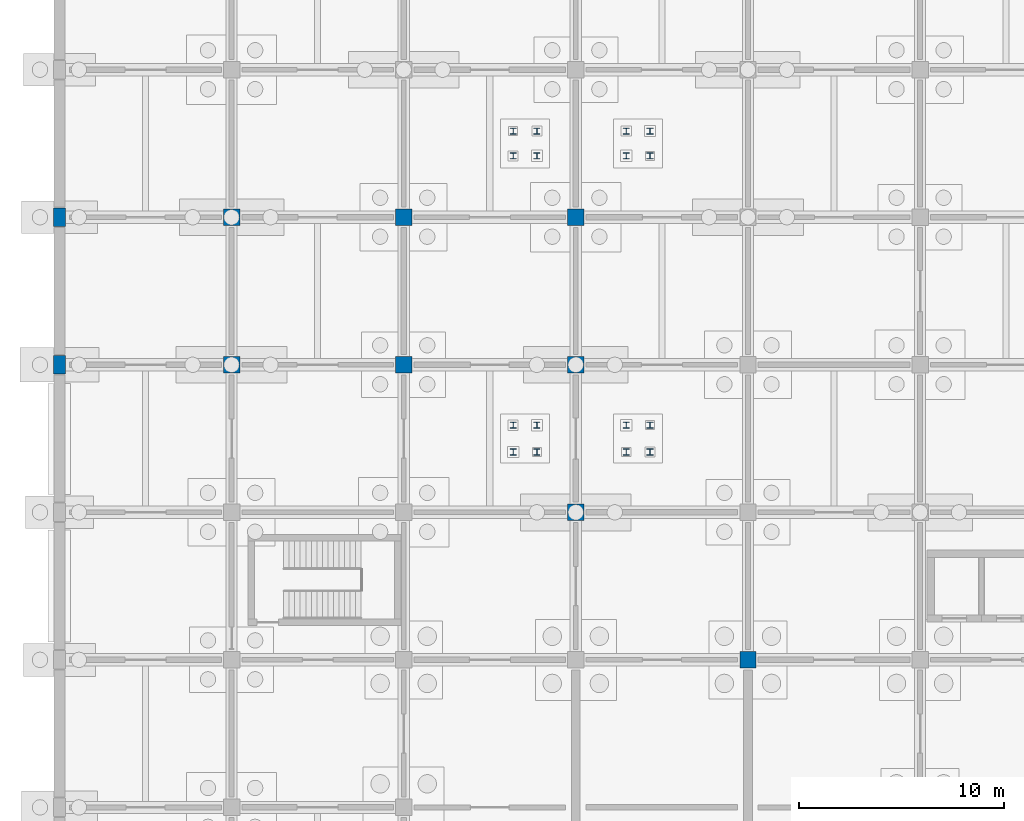
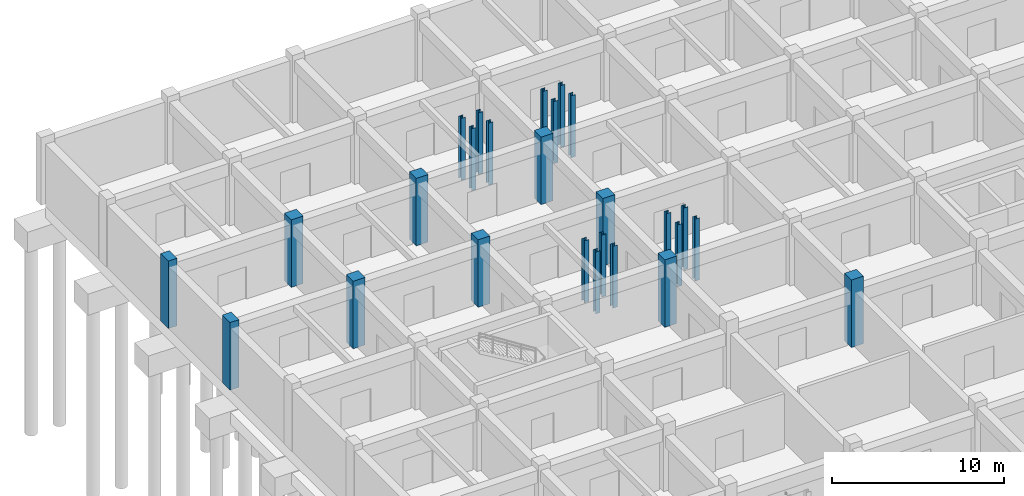
# One storey, part 8 of 38: 26 columns.
"""IFC4 building model written with IfcOpenShell, lengths in metres."""

from ifc_helpers import new_model, si_unit, derived_unit, direction, frame, origin, origin_2d, place, context, subcontext, project, spatial, rectangle, i_section, extrude, material, material_profile, profile_set, type_object, element, save


model = new_model("IFC4")

# Units and contexts
model_context = context("Model", 3, precision=1e-05, world=origin(), true_north=direction((0.0, 1.0)))
body_context = subcontext(model_context, "Body", "Model", "MODEL_VIEW")
ifc_project = project(units=[si_unit("LENGTHUNIT", "METRE"), si_unit("AREAUNIT", "SQUARE_METRE"), si_unit("VOLUMEUNIT", "CUBIC_METRE"), si_unit("PLANEANGLEUNIT", "RADIAN"), si_unit("MASSUNIT", "GRAM", prefix="KILO"), derived_unit("THERMALTRANSMITTANCEUNIT", [(si_unit("MASSUNIT", "GRAM", prefix="KILO"), 1), (si_unit("TIMEUNIT", "SECOND"), -3), (si_unit("THERMODYNAMICTEMPERATUREUNIT", "KELVIN"), -1)])], contexts=[model_context])

# Site, building, storey
site_placement = place(None, origin())
site = spatial("IfcSite", under=ifc_project, at=site_placement, CompositionType="ELEMENT")
building_placement = place(site_placement, origin())
building = spatial("IfcBuilding", under=site, at=building_placement, Name="Veldstrom Oceanarium and Marine Research Institute", CompositionType="ELEMENT")
storey_placement = place(building_placement, frame((0.0, 0.0, -9.60009765625)))
storey = spatial("IfcBuildingStorey", under=building, at=storey_placement, Name="B02", CompositionType="ELEMENT", Elevation=-9.60009765625)

# Columns
ifc_material_1 = material(Name="Concrete C50/60", Category="concrete")
ifc_material_profile_1 = material_profile(ifc_material_1, rectangle(XDim=0.800048828125, YDim=0.800048828125, at=origin_2d()), Name="RC-COL-800x800")
ifc_profile_set_1 = profile_set([ifc_material_profile_1], Name="Concrete C50/60")
column_type_1 = type_object("IfcColumnType", Name="STR-COL-C04", PredefinedType="COLUMN", material=ifc_profile_set_1)
for number, where, z_axis, x_axis, name in (
    (1, (8.39990234375, 50.39990234375, 0.0), (0.0, 0.0, 1.0), (1.0, 0.0, 0.0), "Column C04 2/H B02"),
    (2, (8.39990234375, 57.60009765625, 0.0), (0.0, 0.0, 1.0), (1.0, 0.0, 0.0), "Column C04 2/J B02"),
    (3, (16.800048828125, 50.39990234375, 0.0), (0.0, 0.0, 1.0), (1.0, 0.0, 0.0), "Column C04 3/H B02"),
    (4, (16.800048828125, 57.60009765625, 0.0), (0.0, 0.0, 1.0), (1.0, 0.0, 0.0), "Column C04 3/J B02"),
    (5, (25.199951171875, 43.199951171875, 0.0), (0.0, 0.0, 1.0), (1.0, 0.0, 0.0), "Column C04 4/G B02"),
    (6, (25.199951171875, 50.39990234375, 0.0), (0.0, 0.0, 1.0), (1.0, 0.0, 0.0), "Column C04 4/H B02"),
    (7, (25.199951171875, 57.60009765625, 0.0), (0.0, 0.0, 1.0), (1.0, 0.0, 0.0), "Column C04 4/J B02"),
    (8, (33.60009765625, 36.0, 0.0), (0.0, 0.0, 1.0), (1.0, 0.0, 0.0), "Column C04 5/F B02"),
):
    element("IfcColumn", number, at=place(storey_placement, frame(where, z_axis=z_axis, x_axis=x_axis)), inside=storey, type_object=column_type_1, Name=name, PredefinedType="COLUMN", context=body_context, shape_type="SweptSolid", body=[
        extrude(rectangle(XDim=0.800048828125, YDim=0.800048828125, at=origin_2d()), origin(), (0.0, 0.0, 1.0), 4.800048828125),
    ])
ifc_material_2 = material(Name="Concrete C50/60", Category="concrete")
ifc_material_profile_2 = material_profile(ifc_material_2, rectangle(XDim=0.60009765625, YDim=0.89990234375, at=origin_2d()), Name="RC-COL-900x600")
ifc_profile_set_2 = profile_set([ifc_material_profile_2], Name="Concrete C50/60")
column_type_2 = type_object("IfcColumnType", Name="STR-COL-C11", PredefinedType="COLUMN", material=ifc_profile_set_2)
for number, where, z_axis, x_axis, name in (
    (9, (0.0, 50.39990234375, 0.0), (0.0, 0.0, 1.0), (1.0, 0.0, 0.0), "Column C11 1/H B02"),
    (10, (0.0, 57.60009765625, 0.0), (0.0, 0.0, 1.0), (1.0, 0.0, 0.0), "Column C11 1/J B02"),
):
    element("IfcColumn", number, at=place(storey_placement, frame(where, z_axis=z_axis, x_axis=x_axis)), inside=storey, type_object=column_type_2, Name=name, PredefinedType="COLUMN", context=body_context, shape_type="SweptSolid", body=[
        extrude(rectangle(XDim=0.60009765625, YDim=0.89990234375, at=origin_2d()), origin(), (0.0, 0.0, 1.0), 4.800048828125),
    ])
ifc_material_3 = material(Name="Steel S355JR", Category="steel")
ifc_material_profile_3 = material_profile(ifc_material_3, i_section(OverallWidth=0.300048828125, OverallDepth=0.300048828125, WebThickness=0.010986328125, FlangeThickness=0.01904296875, FilletRadius=0.027099609375, at=origin_2d()), Name="HEB 300")
ifc_profile_set_3 = profile_set([ifc_material_profile_3], Name="Steel S355JR")
column_type_3 = type_object("IfcColumnType", Name="STR-COL-C16", PredefinedType="COLUMN", material=ifc_profile_set_3)
for number, where, z_axis, x_axis, name in (
    (11, (22.139892578125, 46.14501953125, 0.0), (0.0, 0.0, 1.0), (1.0, 0.0, 0.0), "Gallery Stair MID Sub-Column ST5-04-B02-1"),
    (12, (23.300048828125, 46.14501953125, 0.0), (0.0, 0.0, 1.0), (1.0, 0.0, 0.0), "Gallery Stair MID Sub-Column ST5-04-B02-2"),
    (13, (22.139892578125, 47.455078125, 0.0), (0.0, 0.0, 1.0), (1.0, 0.0, 0.0), "Gallery Stair MID Sub-Column ST5-04-B02-3"),
    (14, (23.300048828125, 47.455078125, 0.0), (0.0, 0.0, 1.0), (1.0, 0.0, 0.0), "Gallery Stair MID Sub-Column ST5-04-B02-4"),
    (15, (27.659912109375, 46.14501953125, 0.0), (0.0, 0.0, 1.0), (1.0, 0.0, 0.0), "Gallery Stair TOP Sub-Column ST5-04-B02-1"),
    (16, (28.820068359375, 46.14501953125, 0.0), (0.0, 0.0, 1.0), (1.0, 0.0, 0.0), "Gallery Stair TOP Sub-Column ST5-04-B02-2"),
    (17, (27.659912109375, 47.455078125, 0.0), (0.0, 0.0, 1.0), (1.0, 0.0, 0.0), "Gallery Stair TOP Sub-Column ST5-04-B02-3"),
    (18, (28.820068359375, 47.455078125, 0.0), (0.0, 0.0, 1.0), (1.0, 0.0, 0.0), "Gallery Stair TOP Sub-Column ST5-04-B02-4"),
    (19, (22.139892578125, 60.594970703125, 0.0), (0.0, 0.0, 1.0), (1.0, 0.0, 0.0), "Gallery Stair MID Sub-Column ST5-05-B02-1"),
    (20, (23.300048828125, 60.594970703125, 0.0), (0.0, 0.0, 1.0), (1.0, 0.0, 0.0), "Gallery Stair MID Sub-Column ST5-05-B02-2"),
    (21, (22.139892578125, 61.804931640625, 0.0), (0.0, 0.0, 1.0), (1.0, 0.0, 0.0), "Gallery Stair MID Sub-Column ST5-05-B02-3"),
    (22, (23.300048828125, 61.804931640625, 0.0), (0.0, 0.0, 1.0), (1.0, 0.0, 0.0), "Gallery Stair MID Sub-Column ST5-05-B02-4"),
    (23, (27.659912109375, 60.594970703125, 0.0), (0.0, 0.0, 1.0), (1.0, 0.0, 0.0), "Gallery Stair TOP Sub-Column ST5-05-B02-1"),
    (24, (28.820068359375, 60.594970703125, 0.0), (0.0, 0.0, 1.0), (1.0, 0.0, 0.0), "Gallery Stair TOP Sub-Column ST5-05-B02-2"),
    (25, (27.659912109375, 61.804931640625, 0.0), (0.0, 0.0, 1.0), (1.0, 0.0, 0.0), "Gallery Stair TOP Sub-Column ST5-05-B02-3"),
    (26, (28.820068359375, 61.804931640625, 0.0), (0.0, 0.0, 1.0), (1.0, 0.0, 0.0), "Gallery Stair TOP Sub-Column ST5-05-B02-4"),
):
    element("IfcColumn", number, at=place(storey_placement, frame(where, z_axis=z_axis, x_axis=x_axis)), inside=storey, type_object=column_type_3, Name=name, PredefinedType="COLUMN", context=body_context, shape_type="SweptSolid", body=[
        extrude(i_section(OverallWidth=0.300048828125, OverallDepth=0.300048828125, WebThickness=0.010986328125, FlangeThickness=0.01904296875, FilletRadius=0.027099609375, at=origin_2d()), origin(), (0.0, 0.0, 1.0), 4.400146484375),
    ])

save(model, "model.ifc")
